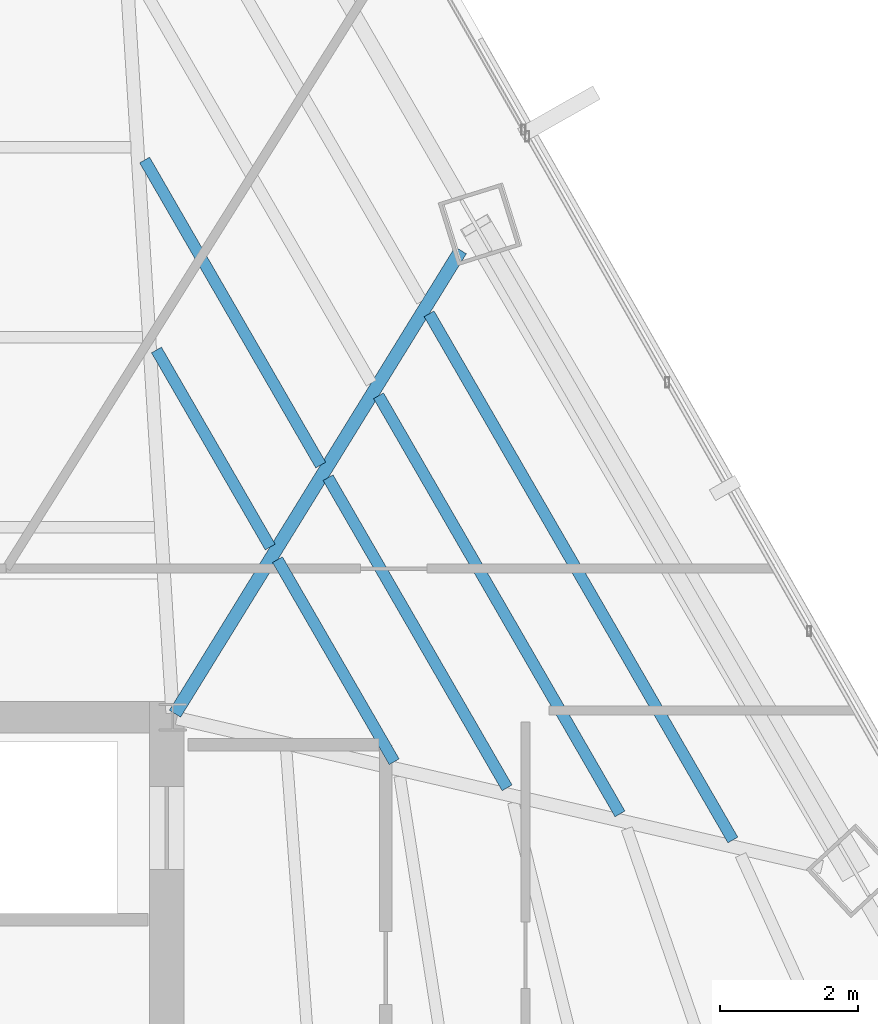
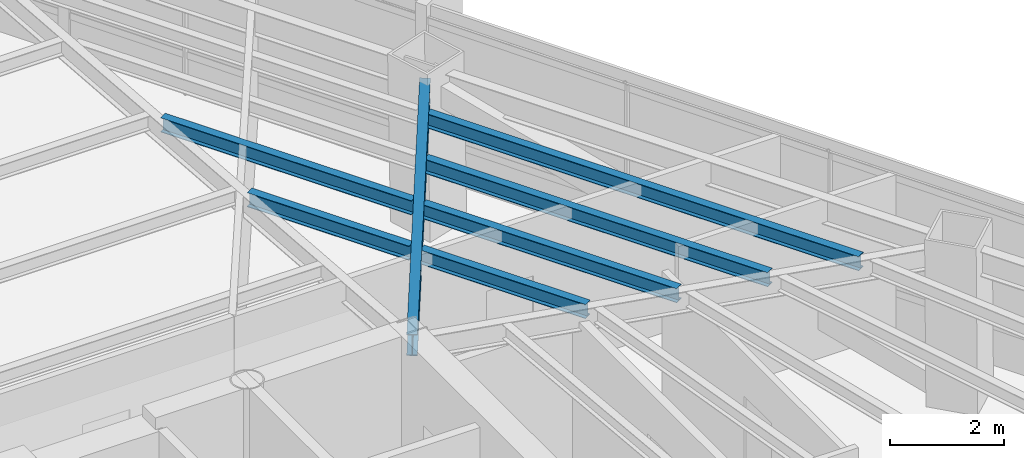
# One storey, part 24 of 39: 7 beams.
"""IFC4 building model written with IfcOpenShell, lengths in metres."""

from ifc_helpers import new_model, si_unit, direction, frame, origin, origin_2d, place, context, subcontext, project, spatial, i_section, extrude, source, transform, mapped, material, material_profile, profile_set, type_object, type_shapes, element, save


model = new_model("IFC4")

# Units and contexts
model_context = context("Model", 3, precision=1e-05, world=origin(), true_north=direction((0.0, 1.0)))
body_context = subcontext(model_context, "Body", "Model", "MODEL_VIEW")
ifc_project = project(units=[si_unit("LENGTHUNIT", "METRE"), si_unit("AREAUNIT", "SQUARE_METRE"), si_unit("VOLUMEUNIT", "CUBIC_METRE"), si_unit("PLANEANGLEUNIT", "RADIAN"), si_unit("MASSUNIT", "GRAM", prefix="KILO")], contexts=[model_context])

# Site, building, storey
site_placement = place(None, origin())
site = spatial("IfcSite", under=ifc_project, at=site_placement, CompositionType="ELEMENT")
building_placement = place(site_placement, origin())
building = spatial("IfcBuilding", under=site, at=building_placement, Name="Caelisora Broadcast Tower", CompositionType="ELEMENT")
storey_placement = place(building_placement, frame((0.0, 0.0, 142.75)))
storey = spatial("IfcBuildingStorey", under=building, at=storey_placement, Name="L37", CompositionType="ELEMENT", Elevation=142.75)

# Beams
ifc_material = material(Name="Steel Grade 350 (AS/NZS 3679.1)", Category="steel")
ifc_material_profile_1 = material_profile(ifc_material, i_section(OverallWidth=0.19091796875, OverallDepth=0.46044921875, WebThickness=0.010009765625, FlangeThickness=0.01611328125, at=origin_2d()), Name="Steel Grade 350 (AS/NZS 3679.1)")
ifc_profile_set_1 = profile_set([ifc_material_profile_1], Name="Steel Grade 350 (AS/NZS 3679.1)")
beam_type_1 = type_object("IfcBeamType", Name="PG06", PredefinedType="BEAM", material=ifc_profile_set_1)
shared_shape_1 = source(origin(), body_context, "Body", "SweptSolid", [
    extrude(i_section(OverallWidth=0.19091796875, OverallDepth=0.46044921875, WebThickness=0.010009765625, FlangeThickness=0.01611328125, at=origin_2d()), origin(), (0.0, 0.0, 1.0), 7.87255859375),
])
type_shapes(beam_type_1, [shared_shape_1])
beam_1_placement = place(storey_placement, frame((45.531494140625, 30.051025390625, 3.169921875), z_axis=(0.52491042189, 0.851157476024, 0.0), x_axis=(-0.851157476024, 0.52491042189, 0.0)))
element("IfcBeam", 1, at=beam_1_placement, inside=storey, type_object=beam_type_1, Name="L37 beam PG06", PredefinedType="BEAM", context=body_context, shape_type="MappedRepresentation", body=[
    mapped(shared_shape_1, transform((0.0, 0.0, 0.0), scale=1.0)),
])
ifc_material_profile_2 = material_profile(ifc_material, i_section(OverallWidth=0.166015625, OverallDepth=0.30712890625, WebThickness=0.006591796875, FlangeThickness=0.01171875, at=origin_2d()), Name="Steel Grade 350 (AS/NZS 3679.1)")
ifc_profile_set_2 = profile_set([ifc_material_profile_2], Name="Steel Grade 350 (AS/NZS 3679.1)")
beam_type_2 = type_object("IfcBeamType", Name="SB03", PredefinedType="JOIST", material=ifc_profile_set_2)
shared_shape_2 = source(origin(), body_context, "Body", "SweptSolid", [
    extrude(i_section(OverallWidth=0.166015625, OverallDepth=0.30712890625, WebThickness=0.006591796875, FlangeThickness=0.01171875, at=origin_2d()), origin(), (0.0, 0.0, 1.0), 3.2900390625),
])
beam_2_placement = place(storey_placement, frame((46.90869140625, 32.461181640625, 3.246337890625), z_axis=(-0.4999858089, 0.866033596865, 0.0), x_axis=(-0.866033596865, -0.4999858089, 0.0)))
element("IfcBeam", 2, at=beam_2_placement, inside=storey, type_object=beam_type_2, Name="L37 beam SB03", PredefinedType="JOIST", context=body_context, shape_type="MappedRepresentation", body=[
    mapped(shared_shape_2, transform((0.0, 0.0, 0.0), scale=1.0)),
])
shared_shape_3 = source(origin(), body_context, "Body", "SweptSolid", [
    extrude(i_section(OverallWidth=0.166015625, OverallDepth=0.30712890625, WebThickness=0.006591796875, FlangeThickness=0.01171875, at=origin_2d()), origin(), (0.0, 0.0, 1.0), 5.09375),
])
beam_3_placement = place(storey_placement, frame((47.639404296875, 33.64599609375, 3.246337890625), z_axis=(-0.499994895054, 0.866028351106, 0.0), x_axis=(-0.866028351106, -0.499994895054, 0.0)))
element("IfcBeam", 3, at=beam_3_placement, inside=storey, type_object=beam_type_2, Name="L37 beam SB03", PredefinedType="JOIST", context=body_context, shape_type="MappedRepresentation", body=[
    mapped(shared_shape_3, transform((0.0, 0.0, 0.0), scale=1.0)),
])
shared_shape_4 = source(origin(), body_context, "Body", "SweptSolid", [
    extrude(i_section(OverallWidth=0.166015625, OverallDepth=0.30712890625, WebThickness=0.006591796875, FlangeThickness=0.01171875, at=origin_2d()), origin(), (0.0, 0.0, 1.0), 3.3740234375),
])
beam_4_placement = place(storey_placement, frame((48.701416015625, 29.3564453125, 3.246337890625), z_axis=(-0.500069027167, 0.865985547263, 0.0), x_axis=(-0.865985547263, -0.500069027167, 0.0)))
element("IfcBeam", 4, at=beam_4_placement, inside=storey, type_object=beam_type_2, Name="L37 beam SB03", PredefinedType="JOIST", context=body_context, shape_type="MappedRepresentation", body=[
    mapped(shared_shape_4, transform((0.0, 0.0, 0.0), scale=1.0)),
])
shared_shape_5 = source(origin(), body_context, "Body", "SweptSolid", [
    extrude(i_section(OverallWidth=0.166015625, OverallDepth=0.30712890625, WebThickness=0.006591796875, FlangeThickness=0.01171875, at=origin_2d()), origin(), (0.0, 0.0, 1.0), 5.177734375),
])
beam_5_placement = place(storey_placement, frame((50.333740234375, 28.979248046875, 3.246337890625), z_axis=(-0.499957831142, 0.866049748617, 0.0), x_axis=(-0.866049748617, -0.499957831142, 0.0)))
element("IfcBeam", 5, at=beam_5_placement, inside=storey, type_object=beam_type_2, Name="L37 beam SB03", PredefinedType="JOIST", context=body_context, shape_type="MappedRepresentation", body=[
    mapped(shared_shape_5, transform((0.0, 0.0, 0.0), scale=1.0)),
])
shared_shape_6 = source(origin(), body_context, "Body", "SweptSolid", [
    extrude(i_section(OverallWidth=0.166015625, OverallDepth=0.30712890625, WebThickness=0.006591796875, FlangeThickness=0.01171875, at=origin_2d()), origin(), (0.0, 0.0, 1.0), 6.981201171875),
])
beam_6_placement = place(storey_placement, frame((51.96630859375, 28.602294921875, 3.246337890625), z_axis=(-0.500013059815, 0.866017863565, 0.0), x_axis=(-0.866017863565, -0.500013059815, 0.0)))
element("IfcBeam", 6, at=beam_6_placement, inside=storey, type_object=beam_type_2, Name="L37 beam SB03", PredefinedType="JOIST", context=body_context, shape_type="MappedRepresentation", body=[
    mapped(shared_shape_6, transform((0.0, 0.0, 0.0), scale=1.0)),
])
shared_shape_7 = source(origin(), body_context, "Body", "SweptSolid", [
    extrude(i_section(OverallWidth=0.166015625, OverallDepth=0.30712890625, WebThickness=0.006591796875, FlangeThickness=0.01171875, at=origin_2d()), origin(), (0.0, 0.0, 1.0), 8.784912109375),
])
type_shapes(beam_type_2, [shared_shape_2, shared_shape_3, shared_shape_4, shared_shape_5, shared_shape_6, shared_shape_7])
beam_7_placement = place(storey_placement, frame((53.598876953125, 28.22509765625, 3.246337890625), z_axis=(-0.500012733253, 0.866018052113, 0.0), x_axis=(-0.866018052113, -0.500012733253, 0.0)))
element("IfcBeam", 7, at=beam_7_placement, inside=storey, type_object=beam_type_2, Name="L37 beam SB03", PredefinedType="JOIST", context=body_context, shape_type="MappedRepresentation", body=[
    mapped(shared_shape_7, transform((0.0, 0.0, 0.0), scale=1.0)),
])

save(model, "model.ifc")
